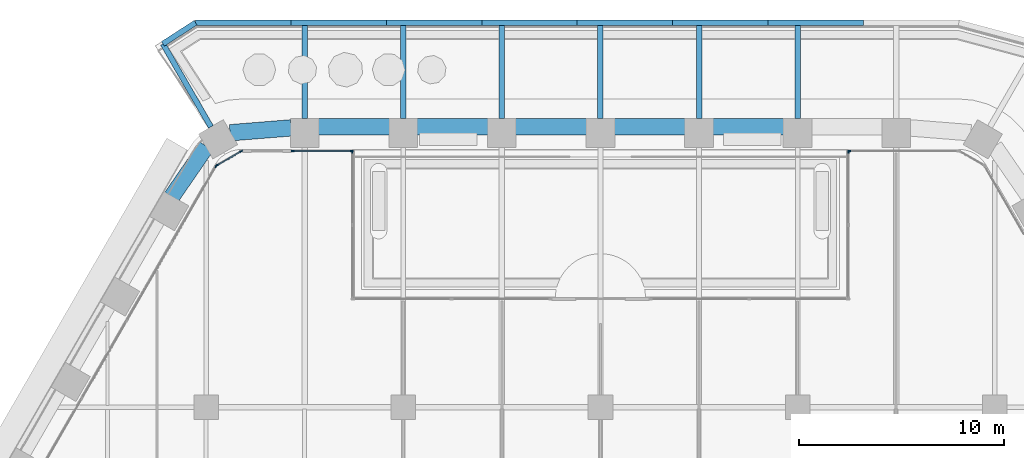
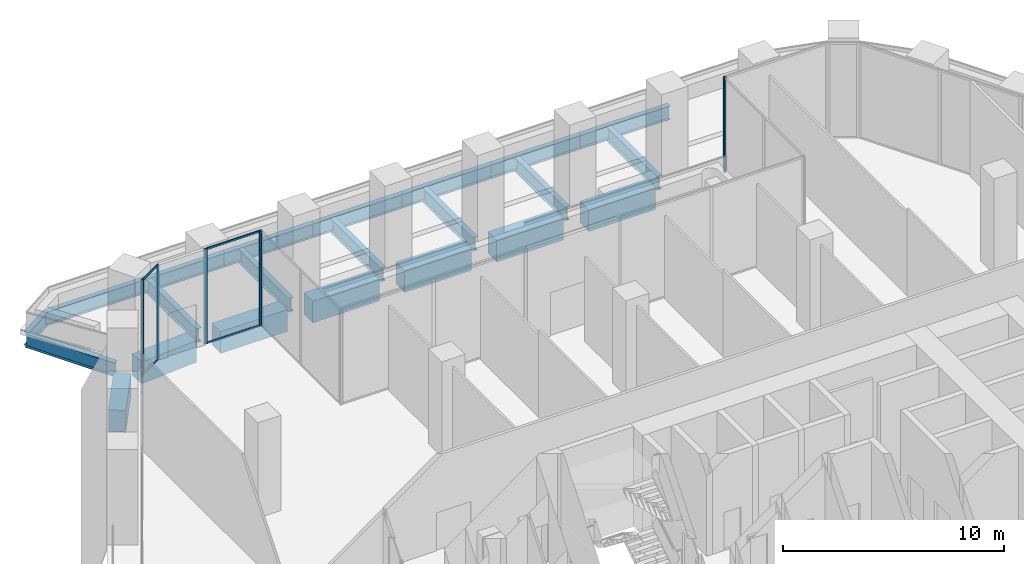
# One storey, part 14 of 30: 22 beams, 12 members, 6 elements without a shape of their own.
"""IFC4 building model written with IfcOpenShell, lengths in metres."""

from ifc_helpers import new_model, si_unit, direction, frame, origin, origin_2d, place, context, subcontext, project, spatial, rectangle, i_section, extrude, material, material_profile, profile_set, type_object, element, aggregate, save


model = new_model("IFC4")

# Units and contexts
model_context = context("Model", 3, precision=1e-05, world=origin(), true_north=direction((0.0, 1.0)))
body_context = subcontext(model_context, "Body", "Model", "MODEL_VIEW")
ifc_project = project(units=[si_unit("LENGTHUNIT", "METRE"), si_unit("AREAUNIT", "SQUARE_METRE"), si_unit("VOLUMEUNIT", "CUBIC_METRE"), si_unit("PLANEANGLEUNIT", "RADIAN"), si_unit("MASSUNIT", "GRAM", prefix="KILO")], contexts=[model_context])

# Site, building, storey
site_placement = place(None, origin())
site = spatial("IfcSite", under=ifc_project, at=site_placement, CompositionType="ELEMENT")
building_placement = place(site_placement, origin())
building = spatial("IfcBuilding", under=site, at=building_placement, Name="Kolab Exchange Tower", CompositionType="ELEMENT")
storey_placement = place(building_placement, frame((0.0, 0.0, 38.89990234375)))
storey = spatial("IfcBuildingStorey", under=building, at=storey_placement, Name="L07", CompositionType="ELEMENT", Elevation=38.89990234375)

# Beams
ifc_material_1 = material(Name="Steel S355", Category="steel")
ifc_material_profile_1 = material_profile(ifc_material_1, i_section(OverallWidth=0.26708984375, OverallDepth=0.761962890625, WebThickness=0.014404296875, FlangeThickness=0.021484375, at=origin_2d()), Name="W760X173")
ifc_profile_set_1 = profile_set([ifc_material_profile_1], Name="Steel S355")
beam_type_1 = type_object("IfcBeamType", Name="FLOOR GIRDER W760X173", PredefinedType="BEAM", material=ifc_profile_set_1)
beam_1_placement = place(storey_placement, frame((-18.968017578125, 32.853515625, -0.69091796875), z_axis=(-0.500004747635, 0.866022662719, 0.0), x_axis=(-0.866022662719, -0.500004747635, 0.0)))
element("IfcBeam", 1, at=beam_1_placement, inside=storey, type_object=beam_type_1, Name="beam/L07/ledge/rib-00", PredefinedType="BEAM", context=body_context, shape_type="SweptSolid", body=[
    extrude(i_section(OverallWidth=0.26708984375, OverallDepth=0.761962890625, WebThickness=0.014404296875, FlangeThickness=0.021484375, at=origin_2d()), origin(), (0.0, 0.0, 1.0), 4.66650390625),
])
for number, where, z_axis, x_axis, name in (
    (2, (-14.39990234375, 33.25537109375, -0.69091796875), (0.0, 1.0, 0.0), (-1.0, 0.0, 0.0), "beam/L07/ledge/rib-01"),
    (3, (-9.60009765625, 33.25537109375, -0.69091796875), (0.0, 1.0, 0.0), (-1.0, 0.0, 0.0), "beam/L07/ledge/rib-02"),
    (4, (-4.800048828125, 33.25537109375, -0.69091796875), (0.0, 1.0, 0.0), (-1.0, 0.0, 0.0), "beam/L07/ledge/rib-03"),
    (5, (0.0, 33.25537109375, -0.69091796875), (0.0, 1.0, 0.0), (-1.0, 0.0, 0.0), "beam/L07/ledge/rib-04"),
    (6, (4.800048828125, 33.25537109375, -0.69091796875), (0.0, 1.0, 0.0), (-1.0, 0.0, 0.0), "beam/L07/ledge/rib-05"),
    (7, (9.60009765625, 33.25537109375, -0.69091796875), (0.0, 1.0, 0.0), (-1.0, 0.0, 0.0), "beam/L07/ledge/rib-06"),
):
    element("IfcBeam", number, at=place(storey_placement, frame(where, z_axis=z_axis, x_axis=x_axis)), inside=storey, type_object=beam_type_1, Name=name, PredefinedType="BEAM", context=body_context, shape_type="SweptSolid", body=[
        extrude(i_section(OverallWidth=0.26708984375, OverallDepth=0.761962890625, WebThickness=0.014404296875, FlangeThickness=0.021484375, at=origin_2d()), origin(), (0.0, 0.0, 1.0), 4.532958984375),
    ])
beam_2_placement = place(storey_placement, frame((-21.30126953125, 36.89501953125, -0.69091796875), z_axis=(0.839981802732, 0.542614569542, 0.0), x_axis=(-0.542614569542, 0.839981802732, 0.0)))
element("IfcBeam", 8, at=beam_2_placement, inside=storey, type_object=beam_type_1, Name="beam/L07/ledge/edge-00", PredefinedType="BEAM", context=body_context, shape_type="SweptSolid", body=[
    extrude(i_section(OverallWidth=0.26708984375, OverallDepth=0.761962890625, WebThickness=0.014404296875, FlangeThickness=0.021484375, at=origin_2d()), origin(), (0.0, 0.0, 1.0), 1.892333984375),
])
for number, where, z_axis, x_axis, name in (
    (9, (-19.711669921875, 37.921875, -0.69091796875), (1.0, 0.0, 0.0), (0.0, 1.0, 0.0), "beam/L07/ledge/edge-01"),
    (10, (-15.06640625, 37.921875, -0.69091796875), (1.0, 0.0, 0.0), (0.0, 1.0, 0.0), "beam/L07/ledge/edge-02"),
    (11, (-10.421142578125, 37.921875, -0.69091796875), (1.0, 0.0, 0.0), (0.0, 1.0, 0.0), "beam/L07/ledge/edge-03"),
    (12, (-5.77587890625, 37.921875, -0.69091796875), (1.0, 0.0, 0.0), (0.0, 1.0, 0.0), "beam/L07/ledge/edge-04"),
    (13, (-1.130615234375, 37.921875, -0.69091796875), (1.0, 0.0, 0.0), (0.0, 1.0, 0.0), "beam/L07/ledge/edge-05"),
    (14, (3.5146484375, 37.921875, -0.69091796875), (1.0, 0.0, 0.0), (0.0, 1.0, 0.0), "beam/L07/ledge/edge-06"),
    (15, (8.159912109375, 37.921875, -0.69091796875), (1.0, 0.0, 0.0), (0.0, 1.0, 0.0), "beam/L07/ledge/edge-07"),
):
    element("IfcBeam", number, at=place(storey_placement, frame(where, z_axis=z_axis, x_axis=x_axis)), inside=storey, type_object=beam_type_1, Name=name, PredefinedType="BEAM", context=body_context, shape_type="SweptSolid", body=[
        extrude(i_section(OverallWidth=0.26708984375, OverallDepth=0.761962890625, WebThickness=0.014404296875, FlangeThickness=0.021484375, at=origin_2d()), origin(), (0.0, 0.0, 1.0), 4.645263671875),
    ])
ifc_material_2 = material(Name="Concrete C80/95", Category="concrete")
ifc_material_profile_2 = material_profile(ifc_material_2, rectangle(XDim=0.800048828125, YDim=1.199951171875, at=origin_2d()), Name="RC800X1200")
ifc_profile_set_2 = profile_set([ifc_material_profile_2], Name="Concrete C80/95")
beam_type_2 = type_object("IfcBeamType", Name="SPANDREL BEAM 800X1200 C80/95", PredefinedType="BEAM", material=ifc_profile_set_2)
beam_3_placement = place(storey_placement, frame((-18.03515625, 32.5654296875, -0.849853515625), z_axis=(0.996833978278, 0.07951112973, 0.0), x_axis=(-0.07951112973, 0.996833978278, 0.0)))
element("IfcBeam", 16, at=beam_3_placement, inside=storey, type_object=beam_type_2, Name="beam/L07/sp/F1-01", PredefinedType="BEAM", context=body_context, shape_type="SweptSolid", body=[
    extrude(rectangle(XDim=0.800048828125, YDim=1.199951171875, at=origin_2d()), origin(), (0.0, 0.0, 1.0), 2.984619140625),
])
for number, where, z_axis, x_axis, name in (
    (17, (-13.739990234375, 32.85546875, -0.849853515625), (1.0, 0.0, 0.0), (0.0, 1.0, 0.0), "beam/L07/sp/F1-02"),
    (18, (-8.93994140625, 32.85546875, -0.849853515625), (1.0, 0.0, 0.0), (0.0, 1.0, 0.0), "beam/L07/sp/F1-03"),
    (19, (-4.139892578125, 32.85546875, -0.849853515625), (1.0, 0.0, 0.0), (0.0, 1.0, 0.0), "beam/L07/sp/F1-04"),
    (20, (0.659912109375, 32.85546875, -0.849853515625), (1.0, 0.0, 0.0), (0.0, 1.0, 0.0), "beam/L07/sp/F1-05"),
    (21, (5.4599609375, 32.85546875, -0.849853515625), (1.0, 0.0, 0.0), (0.0, 1.0, 0.0), "beam/L07/sp/F1-06"),
):
    element("IfcBeam", number, at=place(storey_placement, frame(where, z_axis=z_axis, x_axis=x_axis)), inside=storey, type_object=beam_type_2, Name=name, PredefinedType="BEAM", context=body_context, shape_type="SweptSolid", body=[
        extrude(rectangle(XDim=0.800048828125, YDim=1.199951171875, at=origin_2d()), origin(), (0.0, 0.0, 1.0), 3.47998046875),
    ])
beam_4_placement = place(storey_placement, frame((-20.8779296875, 29.44384765625, -0.849853515625), z_axis=(0.567247290755, 0.823547516013, 0.0), x_axis=(-0.823547516013, 0.567247290755, 0.0)))
element("IfcBeam", 22, at=beam_4_placement, inside=storey, type_object=beam_type_2, Name="beam/L07/sp/F6-08", PredefinedType="BEAM", context=body_context, shape_type="SweptSolid", body=[
    extrude(rectangle(XDim=0.800048828125, YDim=1.199951171875, at=origin_2d()), origin(), (0.0, 0.0, 1.0), 2.984375),
])

# Curtain wall, members
ifc_material_3 = material(Name="Aluminium EN AW-6063 T6", Category="aluminium")
curtain_wall_type = type_object("IfcCurtainWallType", Name="UNITISED LOW ZONE CURTAIN WALL", PredefinedType="NOTDEFINED", material=ifc_material_3)
curtain_wall_1_placement = place(storey_placement, origin())
curtain_wall_1 = element("IfcCurtainWall", 23, at=curtain_wall_1_placement, inside=storey, type_object=curtain_wall_type, Name="cw/L07/F1-l-1", PredefinedType="NOTDEFINED")
ifc_material_profile_3 = material_profile(ifc_material_3, rectangle(XDim=0.06005859375, YDim=0.159912109375, at=origin_2d()), Name="RECT 60X160")
ifc_profile_set_3 = profile_set([ifc_material_profile_3], Name="Aluminium EN AW-6063 T6")
member_type_1 = type_object("IfcMemberType", Name="UNITISED LOW ZONE MULLION 60 X 160", PredefinedType="MULLION", material=ifc_profile_set_3)
member_1_placement = place(storey_placement, frame((-14.97802734375, 31.67529296875, 0.0), z_axis=(0.0, 0.0, 1.0), x_axis=(0.0, 1.0, 0.0)))
member_1 = element("IfcMember", 24, at=member_1_placement, type_object=member_type_1, Name="CW1 mullion 1", PredefinedType="MULLION", context=body_context, shape_type="SweptSolid", body=[
    extrude(rectangle(XDim=0.06005859375, YDim=0.159912109375, at=origin_2d()), origin(), (0.0, 0.0, 1.0), 5.25),
])
member_2_placement = place(storey_placement, frame((-12.110107421875, 31.67529296875, 0.0), z_axis=(0.0, 0.0, 1.0), x_axis=(0.0, 1.0, 0.0)))
member_2 = element("IfcMember", 25, at=member_2_placement, type_object=member_type_1, Name="CW1 mullion 2", PredefinedType="MULLION", context=body_context, shape_type="SweptSolid", body=[
    extrude(rectangle(XDim=0.06005859375, YDim=0.159912109375, at=origin_2d()), origin(), (0.0, 0.0, 1.0), 5.25),
])

# Curtain wall, member
curtain_wall_2_placement = place(storey_placement, origin())
curtain_wall_2 = element("IfcCurtainWall", 26, at=curtain_wall_2_placement, inside=storey, type_object=curtain_wall_type, Name="cw/L07/F1-rl-1", PredefinedType="NOTDEFINED")
member_3_placement = place(storey_placement, frame((-12.080078125, 31.645263671875, 0.0), z_axis=(0.0, 0.0, 1.0), x_axis=(1.0, 0.0, 0.0)))
member_3 = element("IfcMember", 27, at=member_3_placement, type_object=member_type_1, Name="CW1 mullion 1", PredefinedType="MULLION", context=body_context, shape_type="SweptSolid", body=[
    extrude(rectangle(XDim=0.06005859375, YDim=0.159912109375, at=origin_2d()), origin(), (0.0, 0.0, 1.0), 5.25),
])
aggregate(curtain_wall_2, [member_3])

curtain_wall_3_placement = place(storey_placement, origin())
curtain_wall_3 = element("IfcCurtainWall", 28, at=curtain_wall_3_placement, inside=storey, type_object=curtain_wall_type, Name="cw/L07/F1-rr-1", PredefinedType="NOTDEFINED")
member_4_placement = place(storey_placement, frame((12.080078125, 31.645263671875, 0.0), z_axis=(0.0, 0.0, 1.0), x_axis=(-1.0, 0.0, 0.0)))
member_4 = element("IfcMember", 29, at=member_4_placement, type_object=member_type_1, Name="CW1 mullion 3", PredefinedType="MULLION", context=body_context, shape_type="SweptSolid", body=[
    extrude(rectangle(XDim=0.06005859375, YDim=0.159912109375, at=origin_2d()), origin(), (0.0, 0.0, 1.0), 5.25),
])
aggregate(curtain_wall_3, [member_4])

curtain_wall_4_placement = place(storey_placement, origin())
curtain_wall_4 = element("IfcCurtainWall", 30, at=curtain_wall_4_placement, inside=storey, type_object=curtain_wall_type, Name="cw/L07/F1-r-1", PredefinedType="NOTDEFINED")
member_5_placement = place(storey_placement, frame((12.110107421875, 31.67529296875, 0.0), z_axis=(0.0, 0.0, 1.0), x_axis=(0.0, 1.0, 0.0)))
member_5 = element("IfcMember", 31, at=member_5_placement, type_object=member_type_1, Name="CW1 mullion 1", PredefinedType="MULLION", context=body_context, shape_type="SweptSolid", body=[
    extrude(rectangle(XDim=0.06005859375, YDim=0.159912109375, at=origin_2d()), origin(), (0.0, 0.0, 1.0), 5.25),
])
aggregate(curtain_wall_4, [member_5])

curtain_wall_5_placement = place(storey_placement, origin())
curtain_wall_5 = element("IfcCurtainWall", 32, at=curtain_wall_5_placement, inside=storey, type_object=curtain_wall_type, Name="cw/L07/F6-2", PredefinedType="NOTDEFINED")
member_6_placement = place(storey_placement, frame((-18.712646484375, 30.939453125, 0.0), z_axis=(0.0, 0.0, 1.0), x_axis=(-0.866025397318, 0.5000000112, 0.0)))
member_6 = element("IfcMember", 33, at=member_6_placement, type_object=member_type_1, Name="CW1 mullion 5", PredefinedType="MULLION", context=body_context, shape_type="SweptSolid", body=[
    extrude(rectangle(XDim=0.06005859375, YDim=0.159912109375, at=origin_2d()), origin(), (0.0, 0.0, 1.0), 5.25),
])
aggregate(curtain_wall_5, [member_6])

# Curtain wall, members
curtain_wall_6_placement = place(storey_placement, origin())
curtain_wall_6 = element("IfcCurtainWall", 34, at=curtain_wall_6_placement, inside=storey, type_object=curtain_wall_type, Name="cw/L07/F6F1-corner", PredefinedType="NOTDEFINED")
member_7_placement = place(storey_placement, frame((-18.671630859375, 30.98046875, 0.0), z_axis=(0.0, 0.0, 1.0), x_axis=(-0.50000002237, 0.866025390869, 0.0)))
member_7 = element("IfcMember", 35, at=member_7_placement, type_object=member_type_1, Name="CW1 mullion 1", PredefinedType="MULLION", context=body_context, shape_type="SweptSolid", body=[
    extrude(rectangle(XDim=0.06005859375, YDim=0.159912109375, at=origin_2d()), origin(), (0.0, 0.0, 1.0), 5.25),
])
member_8_placement = place(storey_placement, frame((-17.493896484375, 31.660400390625, 0.0), z_axis=(0.0, 0.0, 1.0), x_axis=(-0.50000002237, 0.866025390869, 0.0)))
member_8 = element("IfcMember", 36, at=member_8_placement, type_object=member_type_1, Name="CW1 mullion 2", PredefinedType="MULLION", context=body_context, shape_type="SweptSolid", body=[
    extrude(rectangle(XDim=0.06005859375, YDim=0.159912109375, at=origin_2d()), origin(), (0.0, 0.0, 1.0), 5.25),
])

# Member
ifc_material_profile_4 = material_profile(ifc_material_3, rectangle(XDim=0.06005859375, YDim=0.10009765625, at=origin_2d()), Name="RECT 60X100")
ifc_profile_set_4 = profile_set([ifc_material_profile_4], Name="Aluminium EN AW-6063 T6")
member_type_2 = type_object("IfcMemberType", Name="UNITISED LOW ZONE TRANSOM 60 X 100", PredefinedType="USERDEFINED", material=ifc_profile_set_4)
member_9_placement = place(storey_placement, frame((-14.947998046875, 31.67529296875, 0.030029296875), z_axis=(1.0, 0.0, 0.0), x_axis=(0.0, 1.0, 0.0)))
member_9 = element("IfcMember", 37, at=member_9_placement, type_object=member_type_2, Name="CW1 transom 1.1", ObjectType="TRANSOM", PredefinedType="USERDEFINED", context=body_context, shape_type="SweptSolid", body=[
    extrude(rectangle(XDim=0.06005859375, YDim=0.10009765625, at=origin_2d()), origin(), (0.0, 0.0, 1.0), 2.80810546875),
])

member_10_placement = place(storey_placement, frame((-14.947998046875, 31.67529296875, 5.22021484375), z_axis=(1.0, 0.0, 0.0), x_axis=(0.0, 1.0, 0.0)))
member_10 = element("IfcMember", 38, at=member_10_placement, type_object=member_type_2, Name="CW1 transom 1.2", ObjectType="TRANSOM", PredefinedType="USERDEFINED", context=body_context, shape_type="SweptSolid", body=[
    extrude(rectangle(XDim=0.06005859375, YDim=0.10009765625, at=origin_2d()), origin(), (0.0, 0.0, 1.0), 2.80810546875),
])

aggregate(curtain_wall_1, [member_1, member_2, member_9, member_10])

member_11_placement = place(storey_placement, frame((-18.645751953125, 30.995361328125, 0.030029296875), z_axis=(0.86603858612, 0.49997716683, 0.0), x_axis=(-0.49997716683, 0.86603858612, 0.0)))
member_11 = element("IfcMember", 39, at=member_11_placement, type_object=member_type_2, Name="CW1 transom 1.1", ObjectType="TRANSOM", PredefinedType="USERDEFINED", context=body_context, shape_type="SweptSolid", body=[
    extrude(rectangle(XDim=0.06005859375, YDim=0.10009765625, at=origin_2d()), origin(), (0.0, 0.0, 1.0), 1.2998046875),
])

member_12_placement = place(storey_placement, frame((-18.645751953125, 30.995361328125, 5.22021484375), z_axis=(0.86603858612, 0.49997716683, 0.0), x_axis=(-0.49997716683, 0.86603858612, 0.0)))
member_12 = element("IfcMember", 40, at=member_12_placement, type_object=member_type_2, Name="CW1 transom 1.2", ObjectType="TRANSOM", PredefinedType="USERDEFINED", context=body_context, shape_type="SweptSolid", body=[
    extrude(rectangle(XDim=0.06005859375, YDim=0.10009765625, at=origin_2d()), origin(), (0.0, 0.0, 1.0), 1.2998046875),
])

aggregate(curtain_wall_6, [member_7, member_8, member_11, member_12])

save(model, "model.ifc")
